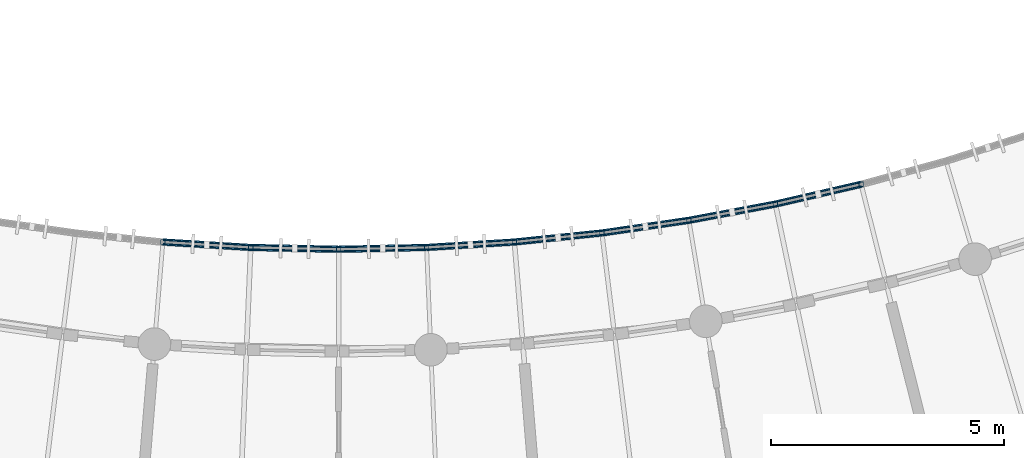
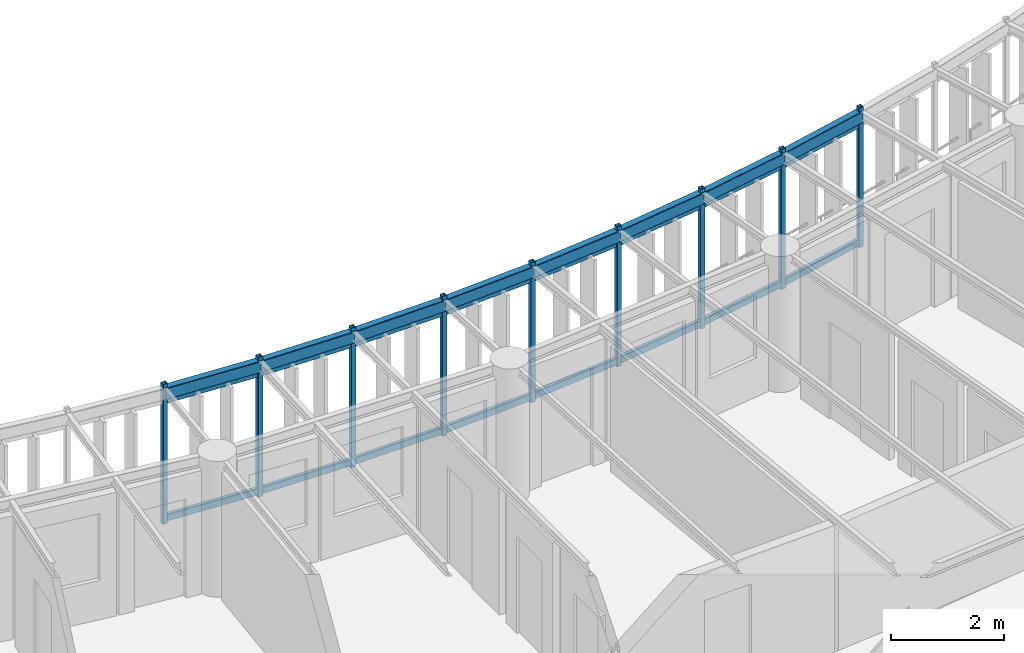
# One storey, part 18 of 100: 25 members, 8 beams.
"""IFC4 building model written with IfcOpenShell, lengths in metres."""

from ifc_helpers import new_model, si_unit, direction, frame, origin, origin_2d, place, context, subcontext, project, spatial, hollow_rectangle, extrude, material, material_profile, profile_set, type_object, element, save


model = new_model("IFC4")

# Units and contexts
model_context = context("Model", 3, precision=1e-05, world=origin(), true_north=direction((0.0, 1.0)))
body_context = subcontext(model_context, "Body", "Model", "MODEL_VIEW")
ifc_project = project(units=[si_unit("LENGTHUNIT", "METRE"), si_unit("AREAUNIT", "SQUARE_METRE"), si_unit("VOLUMEUNIT", "CUBIC_METRE"), si_unit("PLANEANGLEUNIT", "RADIAN"), si_unit("MASSUNIT", "GRAM", prefix="KILO"), si_unit("POWERUNIT", "WATT"), si_unit("THERMODYNAMICTEMPERATUREUNIT", "KELVIN")], contexts=[model_context])

# Site, building, storey
site_placement = place(None, origin())
site = spatial("IfcSite", under=ifc_project, at=site_placement, CompositionType="ELEMENT")
building_placement = place(site_placement, origin())
building = spatial("IfcBuilding", under=site, at=building_placement, Name="Ruvembo Vaulted Housing Court", CompositionType="ELEMENT")
storey_placement = place(building_placement, frame((0.0, 0.0, 10.89990234375)))
storey = spatial("IfcBuildingStorey", under=building, at=storey_placement, Name="L03", CompositionType="ELEMENT", Elevation=10.89990234375)

# Beams
ifc_material = material(Name="Steel S355J2", Category="steel")
ifc_material_profile_1 = material_profile(ifc_material, hollow_rectangle(XDim=0.14990234375, YDim=0.25, WallThickness=0.010009765625, InnerFilletRadius=0.010009765625, OuterFilletRadius=0.02001953125, at=origin_2d()), Name="RHS 250x150x10")
ifc_profile_set_1 = profile_set([ifc_material_profile_1], Name="Steel S355J2")
beam_type = type_object("IfcBeamType", Name="BM-ST-RHS250", PredefinedType="SPANDREL", material=ifc_profile_set_1)
beam_1_placement = place(storey_placement, frame((65.2255859375, 16.355712890625, 2.815185546875), z_axis=(0.998090110864, -0.061774837886, 0.0), x_axis=(0.061774837886, 0.998090110864, 0.0)))
element("IfcBeam", 1, at=beam_1_placement, inside=storey, type_object=beam_type, Name="Scoop SC2 L03 Balcony Edge Spandrel 12", PredefinedType="SPANDREL", context=body_context, shape_type="SweptSolid", body=[
    extrude(hollow_rectangle(XDim=0.14990234375, YDim=0.25, WallThickness=0.010009765625, InnerFilletRadius=0.010009765625, OuterFilletRadius=0.02001953125, at=origin_2d()), origin(), (0.0, 0.0, 1.0), 1.88916015625),
])
for number, where, z_axis, x_axis, name in (
    (2, (67.111083984375, 16.239013671875, 2.815185546875), (0.99978624046, -0.020675429556, 0.0), (0.020675429556, 0.99978624046, 0.0), "Scoop SC2 L03 Balcony Edge Spandrel 13"),
    (3, (69.0, 16.199951171875, 2.815185546875), (0.99978624046, 0.020675429556, 0.0), (-0.020675429556, 0.99978624046, 0.0), "Scoop SC2 L03 Balcony Edge Spandrel 14"),
):
    element("IfcBeam", number, at=place(storey_placement, frame(where, z_axis=z_axis, x_axis=x_axis)), inside=storey, type_object=beam_type, Name=name, PredefinedType="SPANDREL", context=body_context, shape_type="SweptSolid", body=[
        extrude(hollow_rectangle(XDim=0.14990234375, YDim=0.25, WallThickness=0.010009765625, InnerFilletRadius=0.010009765625, OuterFilletRadius=0.02001953125, at=origin_2d()), origin(), (0.0, 0.0, 1.0), 1.889404296875),
    ])
beam_2_placement = place(storey_placement, frame((70.888916015625, 16.239013671875, 2.815185546875), z_axis=(0.998090110864, 0.061774837886, 0.0), x_axis=(-0.061774837886, 0.998090110864, 0.0)))
element("IfcBeam", 4, at=beam_2_placement, inside=storey, type_object=beam_type, Name="Scoop SC2 L03 Balcony Edge Spandrel 15", PredefinedType="SPANDREL", context=body_context, shape_type="SweptSolid", body=[
    extrude(hollow_rectangle(XDim=0.14990234375, YDim=0.25, WallThickness=0.010009765625, InnerFilletRadius=0.010009765625, OuterFilletRadius=0.02001953125, at=origin_2d()), origin(), (0.0, 0.0, 1.0), 1.88916015625),
])
beam_3_placement = place(storey_placement, frame((72.7744140625, 16.355712890625, 2.815185546875), z_axis=(0.994683125416, 0.10298291127, 0.0), x_axis=(-0.10298291127, 0.994683125416, 0.0)))
element("IfcBeam", 5, at=beam_3_placement, inside=storey, type_object=beam_type, Name="Scoop SC2 L03 Balcony Edge Spandrel 16", PredefinedType="SPANDREL", context=body_context, shape_type="SweptSolid", body=[
    extrude(hollow_rectangle(XDim=0.14990234375, YDim=0.25, WallThickness=0.010009765625, InnerFilletRadius=0.010009765625, OuterFilletRadius=0.02001953125, at=origin_2d()), origin(), (0.0, 0.0, 1.0), 1.889404296875),
])
beam_4_placement = place(storey_placement, frame((74.65380859375, 16.55029296875, 2.815185546875), z_axis=(0.989600158039, 0.143845497701, 0.0), x_axis=(-0.143845497701, 0.989600158039, 0.0)))
element("IfcBeam", 6, at=beam_4_placement, inside=storey, type_object=beam_type, Name="Scoop SC2 L03 Balcony Edge Spandrel 17", PredefinedType="SPANDREL", context=body_context, shape_type="SweptSolid", body=[
    extrude(hollow_rectangle(XDim=0.14990234375, YDim=0.25, WallThickness=0.010009765625, InnerFilletRadius=0.010009765625, OuterFilletRadius=0.02001953125, at=origin_2d()), origin(), (0.0, 0.0, 1.0), 1.888916015625),
])
beam_5_placement = place(storey_placement, frame((76.523193359375, 16.822021484375, 2.815185546875), z_axis=(0.982804832401, 0.184647397515, 0.0), x_axis=(-0.184647397515, 0.982804832401, 0.0)))
element("IfcBeam", 7, at=beam_5_placement, inside=storey, type_object=beam_type, Name="Scoop SC2 L03 Balcony Edge Spandrel 18", PredefinedType="SPANDREL", context=body_context, shape_type="SweptSolid", body=[
    extrude(hollow_rectangle(XDim=0.14990234375, YDim=0.25, WallThickness=0.010009765625, InnerFilletRadius=0.010009765625, OuterFilletRadius=0.02001953125, at=origin_2d()), origin(), (0.0, 0.0, 1.0), 1.889404296875),
])
beam_6_placement = place(storey_placement, frame((78.380126953125, 17.1708984375, 2.815185546875), z_axis=(0.974391195695, 0.224859506699, 0.0), x_axis=(-0.224859506699, 0.974391195695, 0.0)))
element("IfcBeam", 8, at=beam_6_placement, inside=storey, type_object=beam_type, Name="Scoop SC2 L03 Balcony Edge Spandrel 19", PredefinedType="SPANDREL", context=body_context, shape_type="SweptSolid", body=[
    extrude(hollow_rectangle(XDim=0.14990234375, YDim=0.25, WallThickness=0.010009765625, InnerFilletRadius=0.010009765625, OuterFilletRadius=0.02001953125, at=origin_2d()), origin(), (0.0, 0.0, 1.0), 1.88916015625),
])

# Members
ifc_material_profile_2 = material_profile(ifc_material, hollow_rectangle(XDim=0.06005859375, YDim=0.1201171875, WallThickness=0.0048828125, InnerFilletRadius=0.0048828125, OuterFilletRadius=0.010009765625, at=origin_2d()), Name="RHS 120x60x5")
ifc_profile_set_2 = profile_set([ifc_material_profile_2], Name="Steel S355J2")
member_type_1 = type_object("IfcMemberType", Name="MEM-CAR-RHS120", PredefinedType="CHORD", material=ifc_profile_set_2)
member_1_placement = place(storey_placement, frame((65.2255859375, 16.355712890625, 2.633056640625), z_axis=(0.998090110864, -0.061774837886, 0.0), x_axis=(0.061774837886, 0.998090110864, 0.0)))
element("IfcMember", 9, at=member_1_placement, inside=storey, type_object=member_type_1, Name="Scoop SC2 L03 Upper Louvre Carrier Rail 12", PredefinedType="CHORD", context=body_context, shape_type="SweptSolid", body=[
    extrude(hollow_rectangle(XDim=0.06005859375, YDim=0.1201171875, WallThickness=0.0048828125, InnerFilletRadius=0.0048828125, OuterFilletRadius=0.010009765625, at=origin_2d()), origin(), (0.0, 0.0, 1.0), 1.88916015625),
])
for number, where, z_axis, x_axis, name in (
    (10, (67.111083984375, 16.239013671875, 2.633056640625), (0.99978624046, -0.020675429556, 0.0), (0.020675429556, 0.99978624046, 0.0), "Scoop SC2 L03 Upper Louvre Carrier Rail 13"),
    (11, (69.0, 16.199951171875, 2.633056640625), (0.99978624046, 0.020675429556, 0.0), (-0.020675429556, 0.99978624046, 0.0), "Scoop SC2 L03 Upper Louvre Carrier Rail 14"),
):
    element("IfcMember", number, at=place(storey_placement, frame(where, z_axis=z_axis, x_axis=x_axis)), inside=storey, type_object=member_type_1, Name=name, PredefinedType="CHORD", context=body_context, shape_type="SweptSolid", body=[
        extrude(hollow_rectangle(XDim=0.06005859375, YDim=0.1201171875, WallThickness=0.0048828125, InnerFilletRadius=0.0048828125, OuterFilletRadius=0.010009765625, at=origin_2d()), origin(), (0.0, 0.0, 1.0), 1.889404296875),
    ])
member_2_placement = place(storey_placement, frame((70.888916015625, 16.239013671875, 2.633056640625), z_axis=(0.998090110864, 0.061774837886, 0.0), x_axis=(-0.061774837886, 0.998090110864, 0.0)))
element("IfcMember", 12, at=member_2_placement, inside=storey, type_object=member_type_1, Name="Scoop SC2 L03 Upper Louvre Carrier Rail 15", PredefinedType="CHORD", context=body_context, shape_type="SweptSolid", body=[
    extrude(hollow_rectangle(XDim=0.06005859375, YDim=0.1201171875, WallThickness=0.0048828125, InnerFilletRadius=0.0048828125, OuterFilletRadius=0.010009765625, at=origin_2d()), origin(), (0.0, 0.0, 1.0), 1.88916015625),
])
member_3_placement = place(storey_placement, frame((72.7744140625, 16.355712890625, 2.633056640625), z_axis=(0.994683125416, 0.10298291127, 0.0), x_axis=(-0.10298291127, 0.994683125416, 0.0)))
element("IfcMember", 13, at=member_3_placement, inside=storey, type_object=member_type_1, Name="Scoop SC2 L03 Upper Louvre Carrier Rail 16", PredefinedType="CHORD", context=body_context, shape_type="SweptSolid", body=[
    extrude(hollow_rectangle(XDim=0.06005859375, YDim=0.1201171875, WallThickness=0.0048828125, InnerFilletRadius=0.0048828125, OuterFilletRadius=0.010009765625, at=origin_2d()), origin(), (0.0, 0.0, 1.0), 1.889404296875),
])
member_4_placement = place(storey_placement, frame((74.65380859375, 16.55029296875, 2.633056640625), z_axis=(0.989600158039, 0.143845497701, 0.0), x_axis=(-0.143845497701, 0.989600158039, 0.0)))
element("IfcMember", 14, at=member_4_placement, inside=storey, type_object=member_type_1, Name="Scoop SC2 L03 Upper Louvre Carrier Rail 17", PredefinedType="CHORD", context=body_context, shape_type="SweptSolid", body=[
    extrude(hollow_rectangle(XDim=0.06005859375, YDim=0.1201171875, WallThickness=0.0048828125, InnerFilletRadius=0.0048828125, OuterFilletRadius=0.010009765625, at=origin_2d()), origin(), (0.0, 0.0, 1.0), 1.888916015625),
])
member_5_placement = place(storey_placement, frame((76.523193359375, 16.822021484375, 2.633056640625), z_axis=(0.982804832401, 0.184647397515, 0.0), x_axis=(-0.184647397515, 0.982804832401, 0.0)))
element("IfcMember", 15, at=member_5_placement, inside=storey, type_object=member_type_1, Name="Scoop SC2 L03 Upper Louvre Carrier Rail 18", PredefinedType="CHORD", context=body_context, shape_type="SweptSolid", body=[
    extrude(hollow_rectangle(XDim=0.06005859375, YDim=0.1201171875, WallThickness=0.0048828125, InnerFilletRadius=0.0048828125, OuterFilletRadius=0.010009765625, at=origin_2d()), origin(), (0.0, 0.0, 1.0), 1.889404296875),
])
member_6_placement = place(storey_placement, frame((78.380126953125, 17.1708984375, 2.633056640625), z_axis=(0.974391195695, 0.224859506699, 0.0), x_axis=(-0.224859506699, 0.974391195695, 0.0)))
element("IfcMember", 16, at=member_6_placement, inside=storey, type_object=member_type_1, Name="Scoop SC2 L03 Upper Louvre Carrier Rail 19", PredefinedType="CHORD", context=body_context, shape_type="SweptSolid", body=[
    extrude(hollow_rectangle(XDim=0.06005859375, YDim=0.1201171875, WallThickness=0.0048828125, InnerFilletRadius=0.0048828125, OuterFilletRadius=0.010009765625, at=origin_2d()), origin(), (0.0, 0.0, 1.0), 1.88916015625),
])
ifc_material_profile_3 = material_profile(ifc_material, hollow_rectangle(XDim=0.080078125, YDim=0.14990234375, WallThickness=0.00634765625, InnerFilletRadius=0.00634765625, OuterFilletRadius=0.0126953125, at=origin_2d()), Name="RHS 150x80x6.3")
ifc_profile_set_3 = profile_set([ifc_material_profile_3], Name="Steel S355J2")
member_type_2 = type_object("IfcMemberType", Name="MEM-CAR-RHS150", PredefinedType="CHORD", material=ifc_profile_set_3)
member_7_placement = place(storey_placement, frame((65.2255859375, 16.355712890625, 0.09521484375), z_axis=(0.998090110864, -0.061774837886, 0.0), x_axis=(0.061774837886, 0.998090110864, 0.0)))
element("IfcMember", 17, at=member_7_placement, inside=storey, type_object=member_type_2, Name="Scoop SC2 L03 Lower Louvre Carrier Rail 12", PredefinedType="CHORD", context=body_context, shape_type="SweptSolid", body=[
    extrude(hollow_rectangle(XDim=0.080078125, YDim=0.14990234375, WallThickness=0.00634765625, InnerFilletRadius=0.00634765625, OuterFilletRadius=0.0126953125, at=origin_2d()), origin(), (0.0, 0.0, 1.0), 1.88916015625),
])
for number, where, z_axis, x_axis, name in (
    (18, (67.111083984375, 16.239013671875, 0.09521484375), (0.99978624046, -0.020675429556, 0.0), (0.020675429556, 0.99978624046, 0.0), "Scoop SC2 L03 Lower Louvre Carrier Rail 13"),
    (19, (69.0, 16.199951171875, 0.09521484375), (0.99978624046, 0.020675429556, 0.0), (-0.020675429556, 0.99978624046, 0.0), "Scoop SC2 L03 Lower Louvre Carrier Rail 14"),
):
    element("IfcMember", number, at=place(storey_placement, frame(where, z_axis=z_axis, x_axis=x_axis)), inside=storey, type_object=member_type_2, Name=name, PredefinedType="CHORD", context=body_context, shape_type="SweptSolid", body=[
        extrude(hollow_rectangle(XDim=0.080078125, YDim=0.14990234375, WallThickness=0.00634765625, InnerFilletRadius=0.00634765625, OuterFilletRadius=0.0126953125, at=origin_2d()), origin(), (0.0, 0.0, 1.0), 1.889404296875),
    ])
member_8_placement = place(storey_placement, frame((70.888916015625, 16.239013671875, 0.09521484375), z_axis=(0.998090110864, 0.061774837886, 0.0), x_axis=(-0.061774837886, 0.998090110864, 0.0)))
element("IfcMember", 20, at=member_8_placement, inside=storey, type_object=member_type_2, Name="Scoop SC2 L03 Lower Louvre Carrier Rail 15", PredefinedType="CHORD", context=body_context, shape_type="SweptSolid", body=[
    extrude(hollow_rectangle(XDim=0.080078125, YDim=0.14990234375, WallThickness=0.00634765625, InnerFilletRadius=0.00634765625, OuterFilletRadius=0.0126953125, at=origin_2d()), origin(), (0.0, 0.0, 1.0), 1.88916015625),
])
member_9_placement = place(storey_placement, frame((72.7744140625, 16.355712890625, 0.09521484375), z_axis=(0.994683125416, 0.10298291127, 0.0), x_axis=(-0.10298291127, 0.994683125416, 0.0)))
element("IfcMember", 21, at=member_9_placement, inside=storey, type_object=member_type_2, Name="Scoop SC2 L03 Lower Louvre Carrier Rail 16", PredefinedType="CHORD", context=body_context, shape_type="SweptSolid", body=[
    extrude(hollow_rectangle(XDim=0.080078125, YDim=0.14990234375, WallThickness=0.00634765625, InnerFilletRadius=0.00634765625, OuterFilletRadius=0.0126953125, at=origin_2d()), origin(), (0.0, 0.0, 1.0), 1.889404296875),
])
member_10_placement = place(storey_placement, frame((74.65380859375, 16.55029296875, 0.09521484375), z_axis=(0.989600158039, 0.143845497701, 0.0), x_axis=(-0.143845497701, 0.989600158039, 0.0)))
element("IfcMember", 22, at=member_10_placement, inside=storey, type_object=member_type_2, Name="Scoop SC2 L03 Lower Louvre Carrier Rail 17", PredefinedType="CHORD", context=body_context, shape_type="SweptSolid", body=[
    extrude(hollow_rectangle(XDim=0.080078125, YDim=0.14990234375, WallThickness=0.00634765625, InnerFilletRadius=0.00634765625, OuterFilletRadius=0.0126953125, at=origin_2d()), origin(), (0.0, 0.0, 1.0), 1.888916015625),
])
member_11_placement = place(storey_placement, frame((76.523193359375, 16.822021484375, 0.09521484375), z_axis=(0.982804832401, 0.184647397515, 0.0), x_axis=(-0.184647397515, 0.982804832401, 0.0)))
element("IfcMember", 23, at=member_11_placement, inside=storey, type_object=member_type_2, Name="Scoop SC2 L03 Lower Louvre Carrier Rail 18", PredefinedType="CHORD", context=body_context, shape_type="SweptSolid", body=[
    extrude(hollow_rectangle(XDim=0.080078125, YDim=0.14990234375, WallThickness=0.00634765625, InnerFilletRadius=0.00634765625, OuterFilletRadius=0.0126953125, at=origin_2d()), origin(), (0.0, 0.0, 1.0), 1.889404296875),
])
member_12_placement = place(storey_placement, frame((78.380126953125, 17.1708984375, 0.09521484375), z_axis=(0.974391195695, 0.224859506699, 0.0), x_axis=(-0.224859506699, 0.974391195695, 0.0)))
element("IfcMember", 24, at=member_12_placement, inside=storey, type_object=member_type_2, Name="Scoop SC2 L03 Lower Louvre Carrier Rail 19", PredefinedType="CHORD", context=body_context, shape_type="SweptSolid", body=[
    extrude(hollow_rectangle(XDim=0.080078125, YDim=0.14990234375, WallThickness=0.00634765625, InnerFilletRadius=0.00634765625, OuterFilletRadius=0.0126953125, at=origin_2d()), origin(), (0.0, 0.0, 1.0), 1.88916015625),
])
ifc_material_profile_4 = material_profile(ifc_material, hollow_rectangle(XDim=0.10009765625, YDim=0.10009765625, WallThickness=0.00634765625, InnerFilletRadius=0.00634765625, OuterFilletRadius=0.0126953125, at=origin_2d()), Name="SHS 100x100x6.3")
ifc_profile_set_4 = profile_set([ifc_material_profile_4], Name="Steel S355J2")
member_type_3 = type_object("IfcMemberType", Name="MEM-FRM-SHS100", PredefinedType="STRUT", material=ifc_profile_set_4)
for number, where, z_axis, x_axis, name in (
    (25, (65.2255859375, 16.355712890625, -0.014892578125), (0.0, 0.0, 1.0), (1.0, 0.0, 0.0), "Scoop SC2 L03 Louvre Frame Post 12"),
    (26, (67.111083984375, 16.239013671875, -0.014892578125), (0.0, 0.0, 1.0), (1.0, 0.0, 0.0), "Scoop SC2 L03 Louvre Frame Post 13"),
    (27, (69.0, 16.199951171875, -0.014892578125), (0.0, 0.0, 1.0), (1.0, 0.0, 0.0), "Scoop SC2 L03 Louvre Frame Post 14"),
    (28, (70.888916015625, 16.239013671875, -0.014892578125), (0.0, 0.0, 1.0), (1.0, 0.0, 0.0), "Scoop SC2 L03 Louvre Frame Post 15"),
    (29, (72.7744140625, 16.355712890625, -0.014892578125), (0.0, 0.0, 1.0), (1.0, 0.0, 0.0), "Scoop SC2 L03 Louvre Frame Post 16"),
    (30, (74.65380859375, 16.55029296875, -0.014892578125), (0.0, 0.0, 1.0), (1.0, 0.0, 0.0), "Scoop SC2 L03 Louvre Frame Post 17"),
    (31, (76.523193359375, 16.822021484375, -0.014892578125), (0.0, 0.0, 1.0), (1.0, 0.0, 0.0), "Scoop SC2 L03 Louvre Frame Post 18"),
    (32, (78.380126953125, 17.1708984375, -0.014892578125), (0.0, 0.0, 1.0), (1.0, 0.0, 0.0), "Scoop SC2 L03 Louvre Frame Post 19"),
    (33, (80.220947265625, 17.595703125, -0.014892578125), (0.0, 0.0, 1.0), (1.0, 0.0, 0.0), "Scoop SC2 L03 Louvre Frame Post 20"),
):
    element("IfcMember", number, at=place(storey_placement, frame(where, z_axis=z_axis, x_axis=x_axis)), inside=storey, type_object=member_type_3, Name=name, PredefinedType="STRUT", context=body_context, shape_type="SweptSolid", body=[
        extrude(hollow_rectangle(XDim=0.10009765625, YDim=0.10009765625, WallThickness=0.00634765625, InnerFilletRadius=0.00634765625, OuterFilletRadius=0.0126953125, at=origin_2d()), origin(), (0.0, 0.0, 1.0), 3.032958984375),
    ])

save(model, "model.ifc")
